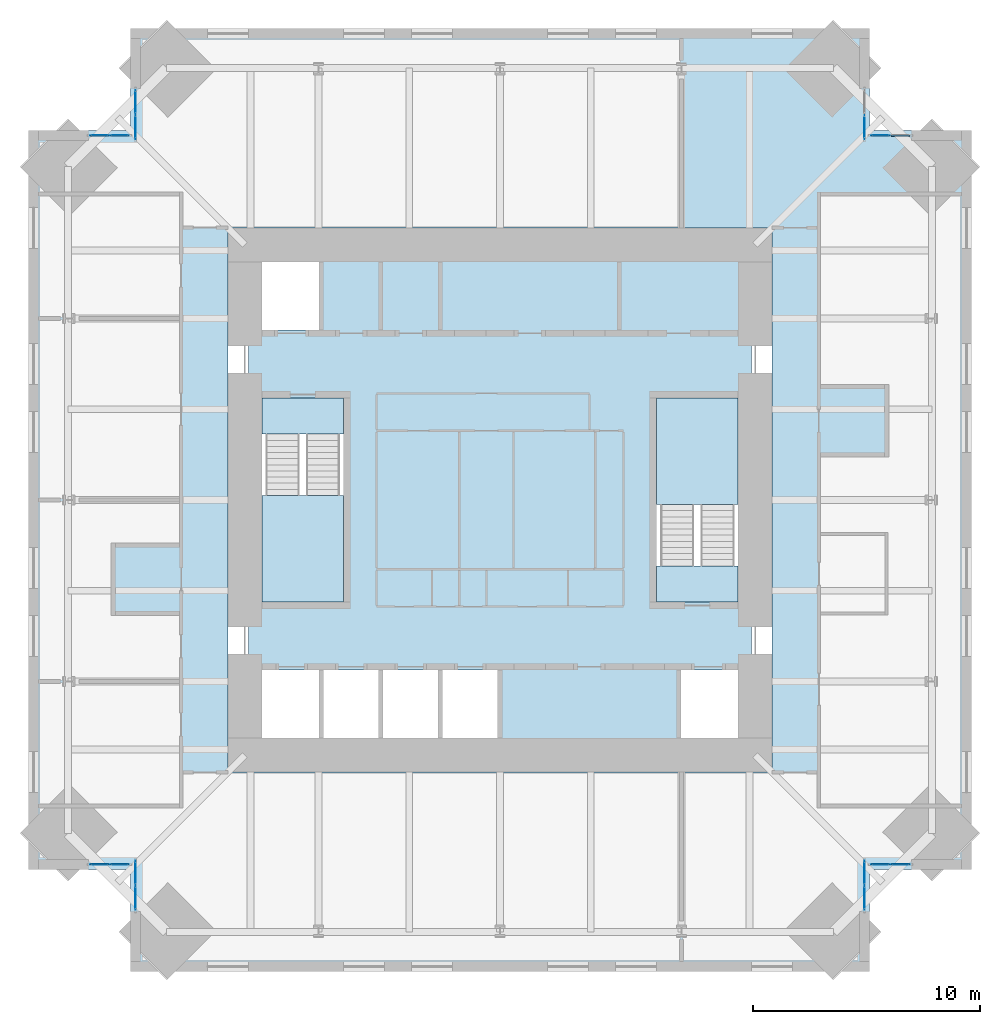
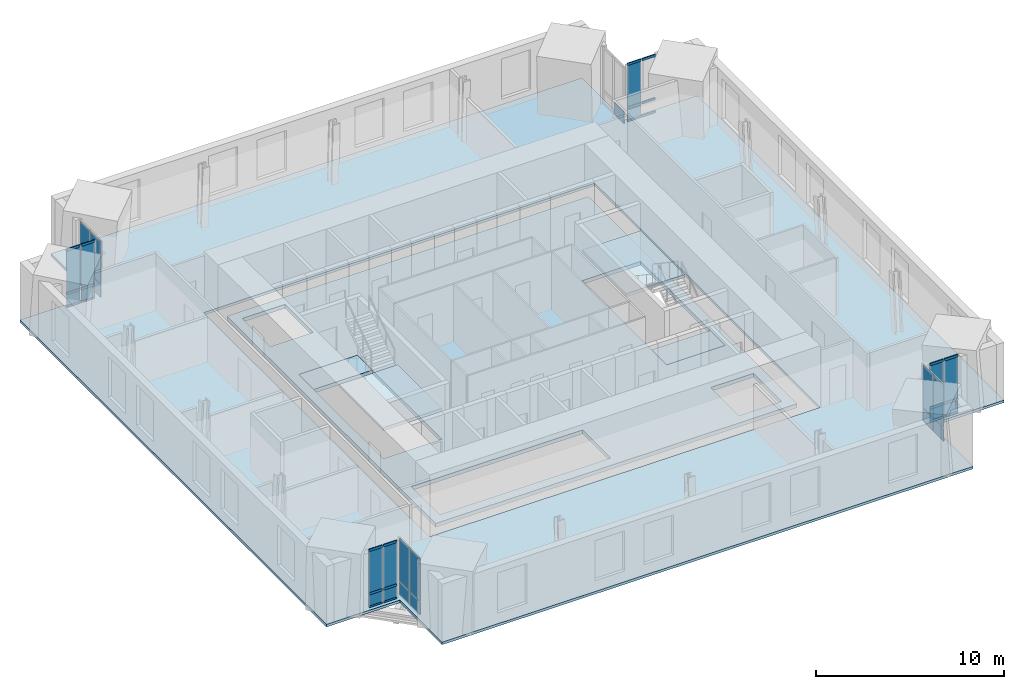
# One storey, part 9 of 15: 27 plates, 24 members, 6 slabs, 10 elements without a shape of their own.
"""IFC4 building model written with IfcOpenShell, lengths in metres."""

from ifc_helpers import new_model, si_unit, direction, frame, origin, origin_2d, place, context, subcontext, project, spatial, polyline, rectangle, hollow_rectangle, outline, extrude, material, layer, layer_set, material_profile, profile_set, type_object, element, aggregate, save


model = new_model("IFC4")

# Units and contexts
model_context = context("Model", 3, precision=1e-05, world=origin(), true_north=direction((0.0, 1.0)))
body_context = subcontext(model_context, "Body", "Model", "MODEL_VIEW")
ifc_project = project(units=[si_unit("LENGTHUNIT", "METRE"), si_unit("AREAUNIT", "SQUARE_METRE"), si_unit("VOLUMEUNIT", "CUBIC_METRE"), si_unit("PLANEANGLEUNIT", "RADIAN"), si_unit("MASSUNIT", "GRAM", prefix="KILO")], contexts=[model_context])

# Site, building, storey
site_placement = place(None, origin())
site = spatial("IfcSite", under=ifc_project, at=site_placement, CompositionType="ELEMENT")
building_placement = place(site_placement, origin())
building = spatial("IfcBuilding", under=site, at=building_placement, Name="Peilmerk Tower", CompositionType="ELEMENT")
storey_placement = place(building_placement, frame((0.0, 0.0, 293.800048828125)))
storey = spatial("IfcBuildingStorey", under=building, at=storey_placement, Name="L66", CompositionType="ELEMENT", Elevation=293.800048828125)

# Curtain wall, members
ifc_material_1 = material(Name="Aluminium stick curtain wall", Category="aluminium")
curtain_wall_type = type_object("IfcCurtainWallType", Name="CW4 stick curtain wall, 2250 module", PredefinedType="NOTDEFINED", material=ifc_material_1)
curtain_wall_1_placement = place(storey_placement, origin())
curtain_wall_1 = element("IfcCurtainWall", 1, at=curtain_wall_1_placement, inside=storey, type_object=curtain_wall_type, Name="Curtain wall CW4 NEB L66", PredefinedType="NOTDEFINED")
ifc_material_2 = material(Name="Aluminium EN AW-6063 T6", Category="aluminium")
ifc_material_profile = material_profile(ifc_material_2, hollow_rectangle(XDim=0.06494140625, YDim=0.14990234375, WallThickness=0.0029296875, at=origin_2d()), Name="AL 150x65x3")
ifc_profile_set = profile_set([ifc_material_profile], Name="Aluminium EN AW-6063 T6")
member_type = type_object("IfcMemberType", Name="CW4-T AL 150x65x3 transom", PredefinedType="USERDEFINED", material=ifc_profile_set)
member_1_placement = place(storey_placement, frame((16.364990234375, 16.074951171875, 0.032470703125), z_axis=(1.0, 0.0, 0.0), x_axis=(0.0, 1.0, 0.0)))
member_1 = element("IfcMember", 2, at=member_1_placement, type_object=member_type, Name="CW4 transom 1.1", ObjectType="TRANSOM", PredefinedType="USERDEFINED", context=body_context, shape_type="SweptSolid", body=[
    extrude(hollow_rectangle(XDim=0.06494140625, YDim=0.14990234375, WallThickness=0.0029296875, at=origin_2d()), origin(), (0.0, 0.0, 1.0), 0.82177734375),
])
member_2_placement = place(storey_placement, frame((16.364990234375, 16.074951171875, 0.89990234375), z_axis=(1.0, 0.0, 0.0), x_axis=(0.0, 1.0, 0.0)))
member_2 = element("IfcMember", 3, at=member_2_placement, type_object=member_type, Name="CW4 transom 1.2", ObjectType="TRANSOM", PredefinedType="USERDEFINED", context=body_context, shape_type="SweptSolid", body=[
    extrude(hollow_rectangle(XDim=0.06494140625, YDim=0.14990234375, WallThickness=0.0029296875, at=origin_2d()), origin(), (0.0, 0.0, 1.0), 0.82177734375),
])
member_3_placement = place(storey_placement, frame((16.364990234375, 16.074951171875, 3.717529296875), z_axis=(1.0, 0.0, 0.0), x_axis=(0.0, 1.0, 0.0)))
member_3 = element("IfcMember", 4, at=member_3_placement, type_object=member_type, Name="CW4 transom 1.3", ObjectType="TRANSOM", PredefinedType="USERDEFINED", context=body_context, shape_type="SweptSolid", body=[
    extrude(hollow_rectangle(XDim=0.06494140625, YDim=0.14990234375, WallThickness=0.0029296875, at=origin_2d()), origin(), (0.0, 0.0, 1.0), 0.82177734375),
])
member_4_placement = place(storey_placement, frame((17.251953125, 16.074951171875, 0.032470703125), z_axis=(1.0, 0.0, 0.0), x_axis=(0.0, 1.0, 0.0)))
member_4 = element("IfcMember", 5, at=member_4_placement, type_object=member_type, Name="CW4 transom 2.1", ObjectType="TRANSOM", PredefinedType="USERDEFINED", context=body_context, shape_type="SweptSolid", body=[
    extrude(hollow_rectangle(XDim=0.06494140625, YDim=0.14990234375, WallThickness=0.0029296875, at=origin_2d()), origin(), (0.0, 0.0, 1.0), 0.82177734375),
])
member_5_placement = place(storey_placement, frame((17.251953125, 16.074951171875, 0.89990234375), z_axis=(1.0, 0.0, 0.0), x_axis=(0.0, 1.0, 0.0)))
member_5 = element("IfcMember", 6, at=member_5_placement, type_object=member_type, Name="CW4 transom 2.2", ObjectType="TRANSOM", PredefinedType="USERDEFINED", context=body_context, shape_type="SweptSolid", body=[
    extrude(hollow_rectangle(XDim=0.06494140625, YDim=0.14990234375, WallThickness=0.0029296875, at=origin_2d()), origin(), (0.0, 0.0, 1.0), 0.82177734375),
])
member_6_placement = place(storey_placement, frame((17.251953125, 16.074951171875, 3.717529296875), z_axis=(1.0, 0.0, 0.0), x_axis=(0.0, 1.0, 0.0)))
member_6 = element("IfcMember", 7, at=member_6_placement, type_object=member_type, Name="CW4 transom 2.3", ObjectType="TRANSOM", PredefinedType="USERDEFINED", context=body_context, shape_type="SweptSolid", body=[
    extrude(hollow_rectangle(XDim=0.06494140625, YDim=0.14990234375, WallThickness=0.0029296875, at=origin_2d()), origin(), (0.0, 0.0, 1.0), 0.82177734375),
])

curtain_wall_2_placement = place(storey_placement, origin())
curtain_wall_2 = element("IfcCurtainWall", 8, at=curtain_wall_2_placement, inside=storey, type_object=curtain_wall_type, Name="Curtain wall CW4 SEB L66", PredefinedType="NOTDEFINED")
member_7_placement = place(storey_placement, frame((16.364990234375, -16.074951171875, 0.032470703125), z_axis=(1.0, 0.0, 0.0), x_axis=(0.0, 1.0, 0.0)))
member_7 = element("IfcMember", 9, at=member_7_placement, type_object=member_type, Name="CW4 transom 1.1", ObjectType="TRANSOM", PredefinedType="USERDEFINED", context=body_context, shape_type="SweptSolid", body=[
    extrude(hollow_rectangle(XDim=0.06494140625, YDim=0.14990234375, WallThickness=0.0029296875, at=origin_2d()), origin(), (0.0, 0.0, 1.0), 0.82177734375),
])
member_8_placement = place(storey_placement, frame((16.364990234375, -16.074951171875, 0.89990234375), z_axis=(1.0, 0.0, 0.0), x_axis=(0.0, 1.0, 0.0)))
member_8 = element("IfcMember", 10, at=member_8_placement, type_object=member_type, Name="CW4 transom 1.2", ObjectType="TRANSOM", PredefinedType="USERDEFINED", context=body_context, shape_type="SweptSolid", body=[
    extrude(hollow_rectangle(XDim=0.06494140625, YDim=0.14990234375, WallThickness=0.0029296875, at=origin_2d()), origin(), (0.0, 0.0, 1.0), 0.82177734375),
])
member_9_placement = place(storey_placement, frame((16.364990234375, -16.074951171875, 3.717529296875), z_axis=(1.0, 0.0, 0.0), x_axis=(0.0, 1.0, 0.0)))
member_9 = element("IfcMember", 11, at=member_9_placement, type_object=member_type, Name="CW4 transom 1.3", ObjectType="TRANSOM", PredefinedType="USERDEFINED", context=body_context, shape_type="SweptSolid", body=[
    extrude(hollow_rectangle(XDim=0.06494140625, YDim=0.14990234375, WallThickness=0.0029296875, at=origin_2d()), origin(), (0.0, 0.0, 1.0), 0.82177734375),
])
member_10_placement = place(storey_placement, frame((17.251953125, -16.074951171875, 0.032470703125), z_axis=(1.0, 0.0, 0.0), x_axis=(0.0, 1.0, 0.0)))
member_10 = element("IfcMember", 12, at=member_10_placement, type_object=member_type, Name="CW4 transom 2.1", ObjectType="TRANSOM", PredefinedType="USERDEFINED", context=body_context, shape_type="SweptSolid", body=[
    extrude(hollow_rectangle(XDim=0.06494140625, YDim=0.14990234375, WallThickness=0.0029296875, at=origin_2d()), origin(), (0.0, 0.0, 1.0), 0.82177734375),
])
member_11_placement = place(storey_placement, frame((17.251953125, -16.074951171875, 0.89990234375), z_axis=(1.0, 0.0, 0.0), x_axis=(0.0, 1.0, 0.0)))
member_11 = element("IfcMember", 13, at=member_11_placement, type_object=member_type, Name="CW4 transom 2.2", ObjectType="TRANSOM", PredefinedType="USERDEFINED", context=body_context, shape_type="SweptSolid", body=[
    extrude(hollow_rectangle(XDim=0.06494140625, YDim=0.14990234375, WallThickness=0.0029296875, at=origin_2d()), origin(), (0.0, 0.0, 1.0), 0.82177734375),
])
member_12_placement = place(storey_placement, frame((17.251953125, -16.074951171875, 3.717529296875), z_axis=(1.0, 0.0, 0.0), x_axis=(0.0, 1.0, 0.0)))
member_12 = element("IfcMember", 14, at=member_12_placement, type_object=member_type, Name="CW4 transom 2.3", ObjectType="TRANSOM", PredefinedType="USERDEFINED", context=body_context, shape_type="SweptSolid", body=[
    extrude(hollow_rectangle(XDim=0.06494140625, YDim=0.14990234375, WallThickness=0.0029296875, at=origin_2d()), origin(), (0.0, 0.0, 1.0), 0.82177734375),
])

curtain_wall_3_placement = place(storey_placement, origin())
curtain_wall_3 = element("IfcCurtainWall", 15, at=curtain_wall_3_placement, inside=storey, type_object=curtain_wall_type, Name="Curtain wall CW4 SWB L66", PredefinedType="NOTDEFINED")
member_13_placement = place(storey_placement, frame((-16.364990234375, -16.074951171875, 0.032470703125), z_axis=(-1.0, 0.0, 0.0), x_axis=(0.0, -1.0, 0.0)))
member_13 = element("IfcMember", 16, at=member_13_placement, type_object=member_type, Name="CW4 transom 1.1", ObjectType="TRANSOM", PredefinedType="USERDEFINED", context=body_context, shape_type="SweptSolid", body=[
    extrude(hollow_rectangle(XDim=0.06494140625, YDim=0.14990234375, WallThickness=0.0029296875, at=origin_2d()), origin(), (0.0, 0.0, 1.0), 0.82177734375),
])
member_14_placement = place(storey_placement, frame((-16.364990234375, -16.074951171875, 0.89990234375), z_axis=(-1.0, 0.0, 0.0), x_axis=(0.0, -1.0, 0.0)))
member_14 = element("IfcMember", 17, at=member_14_placement, type_object=member_type, Name="CW4 transom 1.2", ObjectType="TRANSOM", PredefinedType="USERDEFINED", context=body_context, shape_type="SweptSolid", body=[
    extrude(hollow_rectangle(XDim=0.06494140625, YDim=0.14990234375, WallThickness=0.0029296875, at=origin_2d()), origin(), (0.0, 0.0, 1.0), 0.82177734375),
])
member_15_placement = place(storey_placement, frame((-16.364990234375, -16.074951171875, 3.717529296875), z_axis=(-1.0, 0.0, 0.0), x_axis=(0.0, -1.0, 0.0)))
member_15 = element("IfcMember", 18, at=member_15_placement, type_object=member_type, Name="CW4 transom 1.3", ObjectType="TRANSOM", PredefinedType="USERDEFINED", context=body_context, shape_type="SweptSolid", body=[
    extrude(hollow_rectangle(XDim=0.06494140625, YDim=0.14990234375, WallThickness=0.0029296875, at=origin_2d()), origin(), (0.0, 0.0, 1.0), 0.82177734375),
])
member_16_placement = place(storey_placement, frame((-17.251953125, -16.074951171875, 0.032470703125), z_axis=(-1.0, 0.0, 0.0), x_axis=(0.0, -1.0, 0.0)))
member_16 = element("IfcMember", 19, at=member_16_placement, type_object=member_type, Name="CW4 transom 2.1", ObjectType="TRANSOM", PredefinedType="USERDEFINED", context=body_context, shape_type="SweptSolid", body=[
    extrude(hollow_rectangle(XDim=0.06494140625, YDim=0.14990234375, WallThickness=0.0029296875, at=origin_2d()), origin(), (0.0, 0.0, 1.0), 0.82177734375),
])
member_17_placement = place(storey_placement, frame((-17.251953125, -16.074951171875, 0.89990234375), z_axis=(-1.0, 0.0, 0.0), x_axis=(0.0, -1.0, 0.0)))
member_17 = element("IfcMember", 20, at=member_17_placement, type_object=member_type, Name="CW4 transom 2.2", ObjectType="TRANSOM", PredefinedType="USERDEFINED", context=body_context, shape_type="SweptSolid", body=[
    extrude(hollow_rectangle(XDim=0.06494140625, YDim=0.14990234375, WallThickness=0.0029296875, at=origin_2d()), origin(), (0.0, 0.0, 1.0), 0.82177734375),
])
member_18_placement = place(storey_placement, frame((-17.251953125, -16.074951171875, 3.717529296875), z_axis=(-1.0, 0.0, 0.0), x_axis=(0.0, -1.0, 0.0)))
member_18 = element("IfcMember", 21, at=member_18_placement, type_object=member_type, Name="CW4 transom 2.3", ObjectType="TRANSOM", PredefinedType="USERDEFINED", context=body_context, shape_type="SweptSolid", body=[
    extrude(hollow_rectangle(XDim=0.06494140625, YDim=0.14990234375, WallThickness=0.0029296875, at=origin_2d()), origin(), (0.0, 0.0, 1.0), 0.82177734375),
])

curtain_wall_4_placement = place(storey_placement, origin())
curtain_wall_4 = element("IfcCurtainWall", 22, at=curtain_wall_4_placement, inside=storey, type_object=curtain_wall_type, Name="Curtain wall CW4 NWB L66", PredefinedType="NOTDEFINED")
member_19_placement = place(storey_placement, frame((-16.364990234375, 16.074951171875, 0.032470703125), z_axis=(-1.0, 0.0, 0.0), x_axis=(0.0, -1.0, 0.0)))
member_19 = element("IfcMember", 23, at=member_19_placement, type_object=member_type, Name="CW4 transom 1.1", ObjectType="TRANSOM", PredefinedType="USERDEFINED", context=body_context, shape_type="SweptSolid", body=[
    extrude(hollow_rectangle(XDim=0.06494140625, YDim=0.14990234375, WallThickness=0.0029296875, at=origin_2d()), origin(), (0.0, 0.0, 1.0), 0.82177734375),
])
member_20_placement = place(storey_placement, frame((-16.364990234375, 16.074951171875, 0.89990234375), z_axis=(-1.0, 0.0, 0.0), x_axis=(0.0, -1.0, 0.0)))
member_20 = element("IfcMember", 24, at=member_20_placement, type_object=member_type, Name="CW4 transom 1.2", ObjectType="TRANSOM", PredefinedType="USERDEFINED", context=body_context, shape_type="SweptSolid", body=[
    extrude(hollow_rectangle(XDim=0.06494140625, YDim=0.14990234375, WallThickness=0.0029296875, at=origin_2d()), origin(), (0.0, 0.0, 1.0), 0.82177734375),
])
member_21_placement = place(storey_placement, frame((-16.364990234375, 16.074951171875, 3.717529296875), z_axis=(-1.0, 0.0, 0.0), x_axis=(0.0, -1.0, 0.0)))
member_21 = element("IfcMember", 25, at=member_21_placement, type_object=member_type, Name="CW4 transom 1.3", ObjectType="TRANSOM", PredefinedType="USERDEFINED", context=body_context, shape_type="SweptSolid", body=[
    extrude(hollow_rectangle(XDim=0.06494140625, YDim=0.14990234375, WallThickness=0.0029296875, at=origin_2d()), origin(), (0.0, 0.0, 1.0), 0.82177734375),
])
member_22_placement = place(storey_placement, frame((-17.251953125, 16.074951171875, 0.032470703125), z_axis=(-1.0, 0.0, 0.0), x_axis=(0.0, -1.0, 0.0)))
member_22 = element("IfcMember", 26, at=member_22_placement, type_object=member_type, Name="CW4 transom 2.1", ObjectType="TRANSOM", PredefinedType="USERDEFINED", context=body_context, shape_type="SweptSolid", body=[
    extrude(hollow_rectangle(XDim=0.06494140625, YDim=0.14990234375, WallThickness=0.0029296875, at=origin_2d()), origin(), (0.0, 0.0, 1.0), 0.82177734375),
])
member_23_placement = place(storey_placement, frame((-17.251953125, 16.074951171875, 0.89990234375), z_axis=(-1.0, 0.0, 0.0), x_axis=(0.0, -1.0, 0.0)))
member_23 = element("IfcMember", 27, at=member_23_placement, type_object=member_type, Name="CW4 transom 2.2", ObjectType="TRANSOM", PredefinedType="USERDEFINED", context=body_context, shape_type="SweptSolid", body=[
    extrude(hollow_rectangle(XDim=0.06494140625, YDim=0.14990234375, WallThickness=0.0029296875, at=origin_2d()), origin(), (0.0, 0.0, 1.0), 0.82177734375),
])
member_24_placement = place(storey_placement, frame((-17.251953125, 16.074951171875, 3.717529296875), z_axis=(-1.0, 0.0, 0.0), x_axis=(0.0, -1.0, 0.0)))
member_24 = element("IfcMember", 28, at=member_24_placement, type_object=member_type, Name="CW4 transom 2.3", ObjectType="TRANSOM", PredefinedType="USERDEFINED", context=body_context, shape_type="SweptSolid", body=[
    extrude(hollow_rectangle(XDim=0.06494140625, YDim=0.14990234375, WallThickness=0.0029296875, at=origin_2d()), origin(), (0.0, 0.0, 1.0), 0.82177734375),
])

# Slab
ifc_material_3 = material(Name="Concrete C55/67", Category="concrete")
ifc_layer_1 = layer(ifc_material_3, 0.25)
ifc_layer_set_1 = layer_set([ifc_layer_1], Name="Concrete C55/67")
slab_type_1 = type_object("IfcSlabType", Name="CS250 250 core floor slab", PredefinedType="FLOOR", material=ifc_layer_set_1)
slab_1_placement = place(storey_placement, frame((0.0, 0.0, -0.25)))
element("IfcSlab", 29, at=slab_1_placement, inside=storey, type_object=slab_type_1, Name="Core slab L66", PredefinedType="FLOOR", context=body_context, shape_type="SweptSolid", body=[
    extrude(outline(polyline([(11.10009765625, -11.10009765625), (11.10009765625, 11.10009765625), (-11.10009765625, 11.10009765625), (-11.10009765625, -11.10009765625), (11.10009765625, -11.10009765625)]), holes=[polyline([(-7.875, 7.5), (-10.5, 7.5), (-10.5, 10.5), (-7.875, 10.5), (-7.875, 7.5)]), polyline([(0.0, -10.5), (-10.5, -10.5), (-10.5, -7.5), (0.0, -7.5), (0.0, -10.5)]), polyline([(7.875, -10.5), (7.875, -7.5), (10.5, -7.5), (10.5, -10.5), (7.875, -10.5)]), polyline([(-10.5, 4.5), (-6.89990234375, 4.5), (-6.89990234375, -4.5), (-10.5, -4.5), (-10.5, 4.5)]), polyline([(10.5, 4.5), (10.5, -4.5), (6.89990234375, -4.5), (6.89990234375, 4.5), (10.5, 4.5)])]), origin(), (0.0, 0.0, 1.0), 0.25),
])

# Curtain wall, plate
curtain_wall_5_placement = place(storey_placement, origin())
curtain_wall_5 = element("IfcCurtainWall", 30, at=curtain_wall_5_placement, inside=storey, type_object=curtain_wall_type, Name="Curtain wall CW4 NEA L66", PredefinedType="NOTDEFINED")
ifc_material_4 = material(Name="Clear insulated glazing unit", Category="glass")
ifc_layer_2 = layer(ifc_material_4, 0.028076171875)
ifc_layer_set_2 = layer_set([ifc_layer_2], Name="Clear insulated glazing unit")
plate_type = type_object("IfcPlateType", Name="CW4-P 28 glazed panel", PredefinedType="CURTAIN_PANEL", material=ifc_layer_set_2)
plate_1_placement = place(storey_placement, frame((16.074951171875, 16.4384765625, 0.06494140625), z_axis=(0.0, 0.0, 1.0), x_axis=(0.0, 1.0, 0.0)))
plate_1 = element("IfcPlate", 31, at=plate_1_placement, type_object=plate_type, Name="CW4 panel 1.1", PredefinedType="CURTAIN_PANEL", context=body_context, shape_type="SweptSolid", body=[
    extrude(rectangle(XDim=1.046875, YDim=0.028076171875, at=origin_2d()), origin(), (0.0, 0.0, 1.0), 0.802490234375),
])
aggregate(curtain_wall_5, [plate_1])

# Plate
plate_2_placement = place(storey_placement, frame((16.77587890625, 16.074951171875, 0.06494140625), z_axis=(0.0, 0.0, 1.0), x_axis=(1.0, 0.0, 0.0)))
plate_2 = element("IfcPlate", 32, at=plate_2_placement, type_object=plate_type, Name="CW4 panel 1.1", PredefinedType="CURTAIN_PANEL", context=body_context, shape_type="SweptSolid", body=[
    extrude(rectangle(XDim=0.82177734375, YDim=0.028076171875, at=origin_2d()), origin(), (0.0, 0.0, 1.0), 0.802490234375),
])

plate_3_placement = place(storey_placement, frame((16.77587890625, 16.074951171875, 0.932373046875), z_axis=(0.0, 0.0, 1.0), x_axis=(1.0, 0.0, 0.0)))
plate_3 = element("IfcPlate", 33, at=plate_3_placement, type_object=plate_type, Name="CW4 panel 1.2", PredefinedType="CURTAIN_PANEL", context=body_context, shape_type="SweptSolid", body=[
    extrude(rectangle(XDim=0.82177734375, YDim=0.028076171875, at=origin_2d()), origin(), (0.0, 0.0, 1.0), 2.75244140625),
])

aggregate(curtain_wall_1, [member_1, member_2, member_3, plate_2, plate_3, member_4, member_5, member_6])

# Curtain wall, plates
curtain_wall_6_placement = place(storey_placement, origin())
curtain_wall_6 = element("IfcCurtainWall", 34, at=curtain_wall_6_placement, inside=storey, type_object=curtain_wall_type, Name="Curtain wall CW4 SEA L66", PredefinedType="NOTDEFINED")
plate_4_placement = place(storey_placement, frame((16.074951171875, -16.4384765625, 0.06494140625), z_axis=(0.0, 0.0, 1.0), x_axis=(0.0, -1.0, 0.0)))
plate_4 = element("IfcPlate", 35, at=plate_4_placement, type_object=plate_type, Name="CW4 panel 1.1", PredefinedType="CURTAIN_PANEL", context=body_context, shape_type="SweptSolid", body=[
    extrude(rectangle(XDim=1.046875, YDim=0.028076171875, at=origin_2d()), origin(), (0.0, 0.0, 1.0), 0.802490234375),
])
plate_5_placement = place(storey_placement, frame((16.074951171875, -16.4384765625, 0.932373046875), z_axis=(0.0, 0.0, 1.0), x_axis=(0.0, -1.0, 0.0)))
plate_5 = element("IfcPlate", 36, at=plate_5_placement, type_object=plate_type, Name="CW4 panel 1.2", PredefinedType="CURTAIN_PANEL", context=body_context, shape_type="SweptSolid", body=[
    extrude(rectangle(XDim=1.046875, YDim=0.028076171875, at=origin_2d()), origin(), (0.0, 0.0, 1.0), 2.75244140625),
])
plate_6_placement = place(storey_placement, frame((16.074951171875, -17.55029296875, 0.06494140625), z_axis=(0.0, 0.0, 1.0), x_axis=(0.0, -1.0, 0.0)))
plate_6 = element("IfcPlate", 37, at=plate_6_placement, type_object=plate_type, Name="CW4 panel 2.1", PredefinedType="CURTAIN_PANEL", context=body_context, shape_type="SweptSolid", body=[
    extrude(rectangle(XDim=1.046875, YDim=0.028076171875, at=origin_2d()), origin(), (0.0, 0.0, 1.0), 0.802490234375),
])
plate_7_placement = place(storey_placement, frame((16.074951171875, -17.55029296875, 0.932373046875), z_axis=(0.0, 0.0, 1.0), x_axis=(0.0, -1.0, 0.0)))
plate_7 = element("IfcPlate", 38, at=plate_7_placement, type_object=plate_type, Name="CW4 panel 2.2", PredefinedType="CURTAIN_PANEL", context=body_context, shape_type="SweptSolid", body=[
    extrude(rectangle(XDim=1.046875, YDim=0.028076171875, at=origin_2d()), origin(), (0.0, 0.0, 1.0), 2.75244140625),
])
aggregate(curtain_wall_6, [plate_4, plate_5, plate_6, plate_7])

# Plate
plate_8_placement = place(storey_placement, frame((16.77587890625, -16.074951171875, 0.06494140625), z_axis=(0.0, 0.0, 1.0), x_axis=(1.0, 0.0, 0.0)))
plate_8 = element("IfcPlate", 39, at=plate_8_placement, type_object=plate_type, Name="CW4 panel 1.1", PredefinedType="CURTAIN_PANEL", context=body_context, shape_type="SweptSolid", body=[
    extrude(rectangle(XDim=0.82177734375, YDim=0.028076171875, at=origin_2d()), origin(), (0.0, 0.0, 1.0), 0.802490234375),
])

plate_9_placement = place(storey_placement, frame((16.77587890625, -16.074951171875, 0.932373046875), z_axis=(0.0, 0.0, 1.0), x_axis=(1.0, 0.0, 0.0)))
plate_9 = element("IfcPlate", 40, at=plate_9_placement, type_object=plate_type, Name="CW4 panel 1.2", PredefinedType="CURTAIN_PANEL", context=body_context, shape_type="SweptSolid", body=[
    extrude(rectangle(XDim=0.82177734375, YDim=0.028076171875, at=origin_2d()), origin(), (0.0, 0.0, 1.0), 2.75244140625),
])

plate_10_placement = place(storey_placement, frame((17.662841796875, -16.074951171875, 0.06494140625), z_axis=(0.0, 0.0, 1.0), x_axis=(1.0, 0.0, 0.0)))
plate_10 = element("IfcPlate", 41, at=plate_10_placement, type_object=plate_type, Name="CW4 panel 2.1", PredefinedType="CURTAIN_PANEL", context=body_context, shape_type="SweptSolid", body=[
    extrude(rectangle(XDim=0.82177734375, YDim=0.028076171875, at=origin_2d()), origin(), (0.0, 0.0, 1.0), 0.802490234375),
])

plate_11_placement = place(storey_placement, frame((17.662841796875, -16.074951171875, 0.932373046875), z_axis=(0.0, 0.0, 1.0), x_axis=(1.0, 0.0, 0.0)))
plate_11 = element("IfcPlate", 42, at=plate_11_placement, type_object=plate_type, Name="CW4 panel 2.2", PredefinedType="CURTAIN_PANEL", context=body_context, shape_type="SweptSolid", body=[
    extrude(rectangle(XDim=0.82177734375, YDim=0.028076171875, at=origin_2d()), origin(), (0.0, 0.0, 1.0), 2.75244140625),
])

aggregate(curtain_wall_2, [member_7, member_8, member_9, plate_8, plate_9, member_10, member_11, member_12, plate_10, plate_11])

# Curtain wall, plates
curtain_wall_7_placement = place(storey_placement, origin())
curtain_wall_7 = element("IfcCurtainWall", 43, at=curtain_wall_7_placement, inside=storey, type_object=curtain_wall_type, Name="Curtain wall CW4 SWA L66", PredefinedType="NOTDEFINED")
plate_12_placement = place(storey_placement, frame((-16.074951171875, -16.4384765625, 0.06494140625), z_axis=(0.0, 0.0, 1.0), x_axis=(0.0, -1.0, 0.0)))
plate_12 = element("IfcPlate", 44, at=plate_12_placement, type_object=plate_type, Name="CW4 panel 1.1", PredefinedType="CURTAIN_PANEL", context=body_context, shape_type="SweptSolid", body=[
    extrude(rectangle(XDim=1.046875, YDim=0.028076171875, at=origin_2d()), origin(), (0.0, 0.0, 1.0), 0.802490234375),
])
plate_13_placement = place(storey_placement, frame((-16.074951171875, -16.4384765625, 0.932373046875), z_axis=(0.0, 0.0, 1.0), x_axis=(0.0, -1.0, 0.0)))
plate_13 = element("IfcPlate", 45, at=plate_13_placement, type_object=plate_type, Name="CW4 panel 1.2", PredefinedType="CURTAIN_PANEL", context=body_context, shape_type="SweptSolid", body=[
    extrude(rectangle(XDim=1.046875, YDim=0.028076171875, at=origin_2d()), origin(), (0.0, 0.0, 1.0), 2.75244140625),
])
plate_14_placement = place(storey_placement, frame((-16.074951171875, -17.55029296875, 0.06494140625), z_axis=(0.0, 0.0, 1.0), x_axis=(0.0, -1.0, 0.0)))
plate_14 = element("IfcPlate", 46, at=plate_14_placement, type_object=plate_type, Name="CW4 panel 2.1", PredefinedType="CURTAIN_PANEL", context=body_context, shape_type="SweptSolid", body=[
    extrude(rectangle(XDim=1.046875, YDim=0.028076171875, at=origin_2d()), origin(), (0.0, 0.0, 1.0), 0.802490234375),
])
plate_15_placement = place(storey_placement, frame((-16.074951171875, -17.55029296875, 0.932373046875), z_axis=(0.0, 0.0, 1.0), x_axis=(0.0, -1.0, 0.0)))
plate_15 = element("IfcPlate", 47, at=plate_15_placement, type_object=plate_type, Name="CW4 panel 2.2", PredefinedType="CURTAIN_PANEL", context=body_context, shape_type="SweptSolid", body=[
    extrude(rectangle(XDim=1.046875, YDim=0.028076171875, at=origin_2d()), origin(), (0.0, 0.0, 1.0), 2.75244140625),
])
aggregate(curtain_wall_7, [plate_12, plate_13, plate_14, plate_15])

# Plate
plate_16_placement = place(storey_placement, frame((-16.77587890625, -16.074951171875, 0.06494140625), z_axis=(0.0, 0.0, 1.0), x_axis=(-1.0, 0.0, 0.0)))
plate_16 = element("IfcPlate", 48, at=plate_16_placement, type_object=plate_type, Name="CW4 panel 1.1", PredefinedType="CURTAIN_PANEL", context=body_context, shape_type="SweptSolid", body=[
    extrude(rectangle(XDim=0.82177734375, YDim=0.028076171875, at=origin_2d()), origin(), (0.0, 0.0, 1.0), 0.802490234375),
])

plate_17_placement = place(storey_placement, frame((-16.77587890625, -16.074951171875, 0.932373046875), z_axis=(0.0, 0.0, 1.0), x_axis=(-1.0, 0.0, 0.0)))
plate_17 = element("IfcPlate", 49, at=plate_17_placement, type_object=plate_type, Name="CW4 panel 1.2", PredefinedType="CURTAIN_PANEL", context=body_context, shape_type="SweptSolid", body=[
    extrude(rectangle(XDim=0.82177734375, YDim=0.028076171875, at=origin_2d()), origin(), (0.0, 0.0, 1.0), 2.75244140625),
])

plate_18_placement = place(storey_placement, frame((-17.662841796875, -16.074951171875, 0.06494140625), z_axis=(0.0, 0.0, 1.0), x_axis=(-1.0, 0.0, 0.0)))
plate_18 = element("IfcPlate", 50, at=plate_18_placement, type_object=plate_type, Name="CW4 panel 2.1", PredefinedType="CURTAIN_PANEL", context=body_context, shape_type="SweptSolid", body=[
    extrude(rectangle(XDim=0.82177734375, YDim=0.028076171875, at=origin_2d()), origin(), (0.0, 0.0, 1.0), 0.802490234375),
])

plate_19_placement = place(storey_placement, frame((-17.662841796875, -16.074951171875, 0.932373046875), z_axis=(0.0, 0.0, 1.0), x_axis=(-1.0, 0.0, 0.0)))
plate_19 = element("IfcPlate", 51, at=plate_19_placement, type_object=plate_type, Name="CW4 panel 2.2", PredefinedType="CURTAIN_PANEL", context=body_context, shape_type="SweptSolid", body=[
    extrude(rectangle(XDim=0.82177734375, YDim=0.028076171875, at=origin_2d()), origin(), (0.0, 0.0, 1.0), 2.75244140625),
])

aggregate(curtain_wall_3, [member_13, member_14, member_15, plate_16, plate_17, member_16, member_17, member_18, plate_18, plate_19])

# Curtain wall, plates
curtain_wall_8_placement = place(storey_placement, origin())
curtain_wall_8 = element("IfcCurtainWall", 52, at=curtain_wall_8_placement, inside=storey, type_object=curtain_wall_type, Name="Curtain wall CW4 NWA L66", PredefinedType="NOTDEFINED")
plate_20_placement = place(storey_placement, frame((-16.074951171875, 16.4384765625, 0.06494140625), z_axis=(0.0, 0.0, 1.0), x_axis=(0.0, 1.0, 0.0)))
plate_20 = element("IfcPlate", 53, at=plate_20_placement, type_object=plate_type, Name="CW4 panel 1.1", PredefinedType="CURTAIN_PANEL", context=body_context, shape_type="SweptSolid", body=[
    extrude(rectangle(XDim=1.046875, YDim=0.028076171875, at=origin_2d()), origin(), (0.0, 0.0, 1.0), 0.802490234375),
])
plate_21_placement = place(storey_placement, frame((-16.074951171875, 16.4384765625, 0.932373046875), z_axis=(0.0, 0.0, 1.0), x_axis=(0.0, 1.0, 0.0)))
plate_21 = element("IfcPlate", 54, at=plate_21_placement, type_object=plate_type, Name="CW4 panel 1.2", PredefinedType="CURTAIN_PANEL", context=body_context, shape_type="SweptSolid", body=[
    extrude(rectangle(XDim=1.046875, YDim=0.028076171875, at=origin_2d()), origin(), (0.0, 0.0, 1.0), 2.75244140625),
])
plate_22_placement = place(storey_placement, frame((-16.074951171875, 17.55029296875, 0.06494140625), z_axis=(0.0, 0.0, 1.0), x_axis=(0.0, 1.0, 0.0)))
plate_22 = element("IfcPlate", 55, at=plate_22_placement, type_object=plate_type, Name="CW4 panel 2.1", PredefinedType="CURTAIN_PANEL", context=body_context, shape_type="SweptSolid", body=[
    extrude(rectangle(XDim=1.046875, YDim=0.028076171875, at=origin_2d()), origin(), (0.0, 0.0, 1.0), 0.802490234375),
])
plate_23_placement = place(storey_placement, frame((-16.074951171875, 17.55029296875, 0.932373046875), z_axis=(0.0, 0.0, 1.0), x_axis=(0.0, 1.0, 0.0)))
plate_23 = element("IfcPlate", 56, at=plate_23_placement, type_object=plate_type, Name="CW4 panel 2.2", PredefinedType="CURTAIN_PANEL", context=body_context, shape_type="SweptSolid", body=[
    extrude(rectangle(XDim=1.046875, YDim=0.028076171875, at=origin_2d()), origin(), (0.0, 0.0, 1.0), 2.75244140625),
])
aggregate(curtain_wall_8, [plate_20, plate_21, plate_22, plate_23])

# Plate
plate_24_placement = place(storey_placement, frame((-16.77587890625, 16.074951171875, 0.06494140625), z_axis=(0.0, 0.0, 1.0), x_axis=(-1.0, 0.0, 0.0)))
plate_24 = element("IfcPlate", 57, at=plate_24_placement, type_object=plate_type, Name="CW4 panel 1.1", PredefinedType="CURTAIN_PANEL", context=body_context, shape_type="SweptSolid", body=[
    extrude(rectangle(XDim=0.82177734375, YDim=0.028076171875, at=origin_2d()), origin(), (0.0, 0.0, 1.0), 0.802490234375),
])

plate_25_placement = place(storey_placement, frame((-16.77587890625, 16.074951171875, 0.932373046875), z_axis=(0.0, 0.0, 1.0), x_axis=(-1.0, 0.0, 0.0)))
plate_25 = element("IfcPlate", 58, at=plate_25_placement, type_object=plate_type, Name="CW4 panel 1.2", PredefinedType="CURTAIN_PANEL", context=body_context, shape_type="SweptSolid", body=[
    extrude(rectangle(XDim=0.82177734375, YDim=0.028076171875, at=origin_2d()), origin(), (0.0, 0.0, 1.0), 2.75244140625),
])

plate_26_placement = place(storey_placement, frame((-17.662841796875, 16.074951171875, 0.06494140625), z_axis=(0.0, 0.0, 1.0), x_axis=(-1.0, 0.0, 0.0)))
plate_26 = element("IfcPlate", 59, at=plate_26_placement, type_object=plate_type, Name="CW4 panel 2.1", PredefinedType="CURTAIN_PANEL", context=body_context, shape_type="SweptSolid", body=[
    extrude(rectangle(XDim=0.82177734375, YDim=0.028076171875, at=origin_2d()), origin(), (0.0, 0.0, 1.0), 0.802490234375),
])

plate_27_placement = place(storey_placement, frame((-17.662841796875, 16.074951171875, 0.932373046875), z_axis=(0.0, 0.0, 1.0), x_axis=(-1.0, 0.0, 0.0)))
plate_27 = element("IfcPlate", 60, at=plate_27_placement, type_object=plate_type, Name="CW4 panel 2.2", PredefinedType="CURTAIN_PANEL", context=body_context, shape_type="SweptSolid", body=[
    extrude(rectangle(XDim=0.82177734375, YDim=0.028076171875, at=origin_2d()), origin(), (0.0, 0.0, 1.0), 2.75244140625),
])

aggregate(curtain_wall_4, [member_19, member_20, member_21, plate_24, plate_25, member_22, member_23, member_24, plate_26, plate_27])

# Slab
ifc_material_5 = material(Name="Concrete C35/45", Category="concrete")
ifc_layer_3 = layer(ifc_material_5, 0.169921875)
ifc_layer_set_3 = layer_set([ifc_layer_3], Name="Concrete C35/45")
slab_type_2 = type_object("IfcSlabType", Name="FS170 170 composite floor slab", PredefinedType="FLOOR", material=ifc_layer_set_3)
slab_2_placement = place(storey_placement, frame((0.0, 0.0, -0.170166015625)))
element("IfcSlab", 61, at=slab_2_placement, inside=storey, type_object=slab_type_2, Name="Floor slab L66", PredefinedType="FLOOR", context=body_context, shape_type="SweptSolid", body=[
    extrude(outline(polyline([(-16.300048828125, -20.800048828125), (16.300048828125, -20.800048828125), (16.300048828125, -16.300048828125), (20.800048828125, -16.300048828125), (20.800048828125, 16.300048828125), (16.300048828125, 16.300048828125), (16.300048828125, 20.800048828125), (-16.300048828125, 20.800048828125), (-16.300048828125, 16.300048828125), (-20.800048828125, 16.300048828125), (-20.800048828125, -16.300048828125), (-16.300048828125, -16.300048828125), (-16.300048828125, -20.800048828125)]), holes=[polyline([(12.0, 12.0), (12.0, -12.0), (-12.0, -12.0), (-12.0, 12.0), (12.0, 12.0)])]), origin(), (0.0, 0.0, 1.0), 0.170166015625),
])

# Stair, slab
ifc_material_6 = material(Name="Precast concrete C45/55", Category="concrete")
stair_type_1 = type_object("IfcStairType", Name="ST1 22 risers of 181.8", PredefinedType="HALF_TURN_STAIR", material=ifc_material_6)
stair_1_placement = place(storey_placement, origin())
stair_1 = element("IfcStair", 62, at=stair_1_placement, inside=storey, type_object=stair_type_1, Name="Stair 1 L66 to L67", PredefinedType="HALF_TURN_STAIR")
ifc_layer_4 = layer(ifc_material_5, 0.199951171875)
ifc_layer_set_4 = layer_set([ifc_layer_4], Name="Concrete C35/45")
slab_type_3 = type_object("IfcSlabType", Name="SL1 200 concrete stair landing", PredefinedType="LANDING", material=ifc_layer_set_4)
slab_3_placement = place(storey_placement, frame((0.0, 0.0, 1.800048828125)))
slab_3 = element("IfcSlab", 63, at=slab_3_placement, type_object=slab_type_3, Name="ST1 landing 1", PredefinedType="LANDING", context=body_context, shape_type="SweptSolid", body=[
    extrude(outline(polyline([(-10.5, -4.5), (-6.89990234375, -4.5), (-6.89990234375, 0.199951171875), (-10.5, 0.199951171875), (-10.5, -4.5)])), origin(), (0.0, 0.0, 1.0), 0.199951171875),
])

stair_type_2 = type_object("IfcStairType", Name="ST2 22 risers of 181.8", PredefinedType="HALF_TURN_STAIR", material=ifc_material_6)
stair_2_placement = place(storey_placement, origin())
stair_2 = element("IfcStair", 64, at=stair_2_placement, inside=storey, type_object=stair_type_2, Name="Stair 2 L66 to L67", PredefinedType="HALF_TURN_STAIR")
slab_4_placement = place(storey_placement, frame((0.0, 0.0, 1.800048828125)))
slab_4 = element("IfcSlab", 65, at=slab_4_placement, type_object=slab_type_3, Name="ST2 landing 1", PredefinedType="LANDING", context=body_context, shape_type="SweptSolid", body=[
    extrude(outline(polyline([(6.89990234375, -0.199951171875), (10.5, -0.199951171875), (10.5, 4.5), (6.89990234375, 4.5), (6.89990234375, -0.199951171875)])), origin(), (0.0, 0.0, 1.0), 0.199951171875),
])

# Slab
ifc_layer_5 = layer(ifc_material_5, 0.25)
ifc_layer_set_5 = layer_set([ifc_layer_5], Name="Concrete C35/45")
slab_type_4 = type_object("IfcSlabType", Name="SL2 250 concrete floor landing", PredefinedType="LANDING", material=ifc_layer_set_5)
slab_5_placement = place(storey_placement, frame((0.0, 0.0, -0.25)))
slab_5 = element("IfcSlab", 66, at=slab_5_placement, type_object=slab_type_4, Name="ST1 floor landing", PredefinedType="LANDING", context=body_context, shape_type="SweptSolid", body=[
    extrude(outline(polyline([(-10.5, 2.89990234375), (-6.89990234375, 2.89990234375), (-6.89990234375, 4.5), (-10.5, 4.5), (-10.5, 2.89990234375)])), origin(), (0.0, 0.0, 1.0), 0.25),
])

aggregate(stair_1, [slab_3, slab_5])

slab_6_placement = place(storey_placement, frame((0.0, 0.0, -0.25)))
slab_6 = element("IfcSlab", 67, at=slab_6_placement, type_object=slab_type_4, Name="ST2 floor landing", PredefinedType="LANDING", context=body_context, shape_type="SweptSolid", body=[
    extrude(outline(polyline([(6.89990234375, -4.5), (10.5, -4.5), (10.5, -2.89990234375), (6.89990234375, -2.89990234375), (6.89990234375, -4.5)])), origin(), (0.0, 0.0, 1.0), 0.25),
])

aggregate(stair_2, [slab_4, slab_6])

save(model, "model.ifc")
